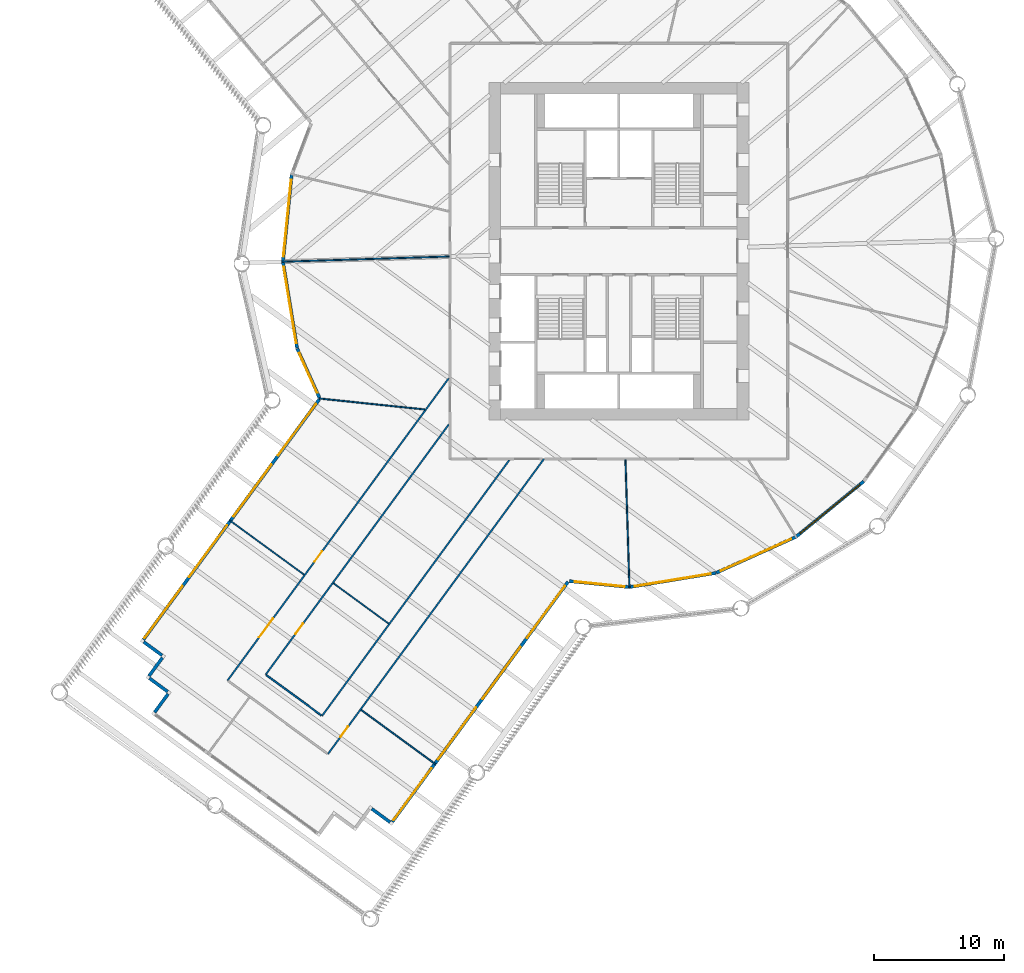
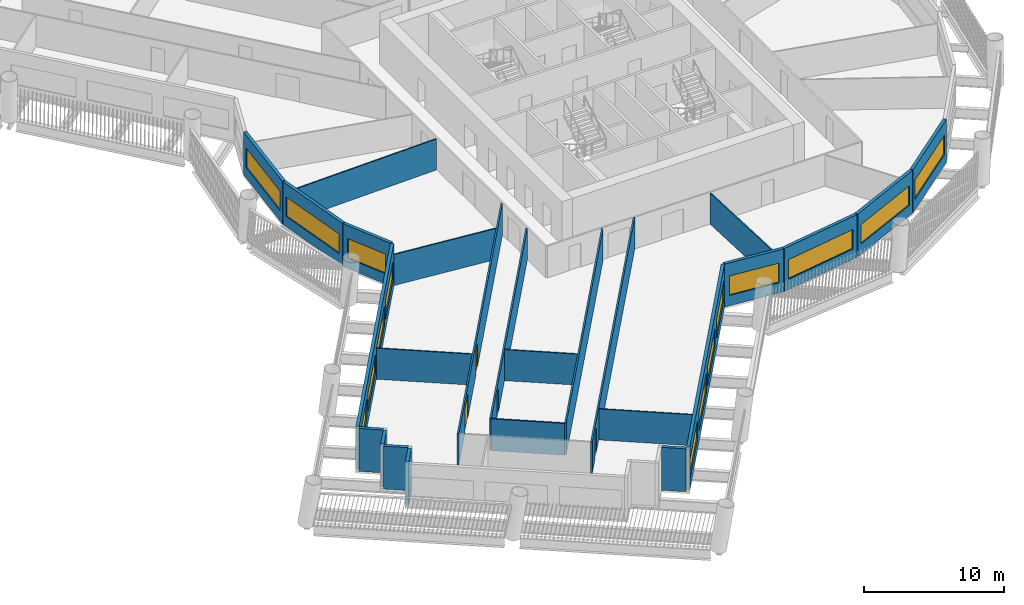
# One storey, part 3 of 15: 25 walls, 15 windows, 4 doors, 19 openings.
"""IFC4 building model written with IfcOpenShell, lengths in metres."""

from ifc_helpers import new_model, si_unit, direction, frame, frame_2d, origin, place, context, subcontext, project, spatial, rectangle, extrude, material, layer, layer_set, type_object, element, fill, save


model = new_model("IFC4")

# Units and contexts
model_context = context("Model", 3, precision=1e-05, world=origin(), true_north=direction((0.0, 1.0)))
body_context = subcontext(model_context, "Body", "Model", "MODEL_VIEW")
ifc_project = project(units=[si_unit("LENGTHUNIT", "METRE"), si_unit("AREAUNIT", "SQUARE_METRE"), si_unit("VOLUMEUNIT", "CUBIC_METRE"), si_unit("PLANEANGLEUNIT", "RADIAN"), si_unit("MASSUNIT", "GRAM", prefix="KILO")], contexts=[model_context])

# Site, building, storey
site_placement = place(None, origin())
site = spatial("IfcSite", under=ifc_project, at=site_placement, CompositionType="ELEMENT")
building_placement = place(site_placement, origin())
building = spatial("IfcBuilding", under=site, at=building_placement, Name="Tarsis Ring Headquarters", CompositionType="ELEMENT")
storey_placement = place(building_placement, frame((0.0, 0.0, 43.89990234375)))
storey = spatial("IfcBuildingStorey", under=building, at=storey_placement, Name="L08", CompositionType="ELEMENT", Elevation=43.89990234375)

# Walls
ifc_material_1 = material(Name="Gypsum board on steel studs", Category="steel")
ifc_layer_1 = layer(ifc_material_1, 0.10009765625)
ifc_layer_set_1 = layer_set([ifc_layer_1], Name="FL partition 100 unrated")
wall_type_1 = type_object("IfcWallType", Name="FL partition 100 unrated", PredefinedType="PARTITIONING", material=ifc_layer_set_1)
wall_1_placement = place(storey_placement, frame((-25.93505859375, -0.81494140625, 0.0), z_axis=(0.0, 0.0, 1.0), x_axis=(0.999506564587, 0.031410624745, 0.0)))
element("IfcWall", 1, at=wall_1_placement, inside=storey, type_object=wall_type_1, Name="Partition PW3", PredefinedType="PARTITIONING", context=body_context, shape_type="SweptSolid", body=[
    extrude(rectangle(XDim=12.871337890625, YDim=0.10009765625, at=frame_2d((6.435546875, 0.0))), origin(), (0.0, 0.0, 1.0), 2.7001953125),
])
wall_2_placement = place(storey_placement, frame((0.5048828125, -16.070068359375, 0.0), z_axis=(0.0, 0.0, 1.0), x_axis=(0.031414684955, -0.999506436982, 0.0)))
element("IfcWall", 2, at=wall_2_placement, inside=storey, type_object=wall_type_1, Name="Partition PW3", PredefinedType="PARTITIONING", context=body_context, shape_type="SweptSolid", body=[
    extrude(rectangle(XDim=9.869873046875, YDim=0.10009765625, at=frame_2d((4.93505859375, 0.0))), origin(), (0.0, 0.0, 1.0), 2.7001953125),
])
wall_3_placement = place(storey_placement, frame((-23.076416015625, -11.339111328125, 0.0), z_axis=(0.0, 0.0, 1.0), x_axis=(0.994614814404, -0.103640585524, 0.0)))
element("IfcWall", 3, at=wall_3_placement, inside=storey, type_object=wall_type_1, Name="Partition PW3", PredefinedType="PARTITIONING", context=body_context, shape_type="SweptSolid", body=[
    extrude(rectangle(XDim=8.1669921875, YDim=0.10009765625, at=frame_2d((4.08349609375, 0.0))), origin(), (0.0, 0.0, 1.0), 2.7001953125),
])
wall_4_placement = place(storey_placement, frame((-19.826416015625, -35.318115234375, 0.0), z_axis=(0.0, 0.0, 1.0), x_axis=(0.806957476098, -0.590609542566, 0.0)))
element("IfcWall", 4, at=wall_4_placement, inside=storey, type_object=wall_type_1, Name="Partition PW3", PredefinedType="PARTITIONING", context=body_context, shape_type="SweptSolid", body=[
    extrude(rectangle(XDim=7.090087890625, YDim=0.10009765625, at=frame_2d((3.544921875, 0.0))), origin(), (0.0, 0.0, 1.0), 2.7001953125),
])
wall_5_placement = place(storey_placement, frame((-29.9658203125, -20.709716796875, 0.0), z_axis=(0.0, 0.0, 1.0), x_axis=(0.806945464391, -0.590625953966, 0.0)))
element("IfcWall", 5, at=wall_5_placement, inside=storey, type_object=wall_type_1, Name="Partition PW3", PredefinedType="PARTITIONING", context=body_context, shape_type="SweptSolid", body=[
    extrude(rectangle(XDim=7.08984375, YDim=0.10009765625, at=frame_2d((3.544921875, 0.0))), origin(), (0.0, 0.0, 1.0), 2.7001953125),
])
wall_6_placement = place(storey_placement, frame((-21.95849609375, -25.56640625, 0.0), z_axis=(0.0, 0.0, 1.0), x_axis=(0.806945295726, -0.590626184406, 0.0)))
element("IfcWall", 6, at=wall_6_placement, inside=storey, type_object=wall_type_1, Name="Partition PW3", PredefinedType="PARTITIONING", context=body_context, shape_type="SweptSolid", body=[
    extrude(rectangle(XDim=5.240234375, YDim=0.10009765625, at=frame_2d((2.6201171875, 0.0))), origin(), (0.0, 0.0, 1.0), 2.7001953125),
])

# Wall, openings, doors
ifc_layer_2 = layer(ifc_material_1, 0.125)
ifc_layer_set_2 = layer_set([ifc_layer_2], Name="FL partition 125 EI 60 H2770")
wall_type_2 = type_object("IfcWallType", Name="FL partition 125 EI 60 H2770", PredefinedType="PARTITIONING", material=ifc_layer_set_2)
wall_7_placement = place(storey_placement, frame((-30.123779296875, -33.048583984375, 0.0), z_axis=(0.0, 0.0, 1.0), x_axis=(0.590606597773, 0.806959631374, 0.0)))
wall_7 = element("IfcWall", 7, at=wall_7_placement, inside=storey, type_object=wall_type_2, Name="Partition PW1", PredefinedType="PARTITIONING", context=body_context, shape_type="SweptSolid", body=[
    extrude(rectangle(XDim=28.82373046875, YDim=0.125, at=frame_2d((14.411865234375, 0.0))), origin(), (0.0, 0.0, 1.0), 2.77001953125),
])
opening_1_placement = place(wall_7_placement, frame((4.123046875, 0.0, 0.0)))
opening_1 = element("IfcOpeningElement", 8, at=opening_1_placement, cuts=wall_7, Name="Opening D08.13", PredefinedType="OPENING", context=body_context, shape_type="SweptSolid", body=[
    extrude(rectangle(XDim=1.800048828125, YDim=2.10009765625, at=frame_2d((0.89990234375, 1.050048828125))), frame((0.0, 0.072509765625, 0.0), z_axis=(0.0, -1.0, 0.0), x_axis=(1.0, 0.0, 0.0)), (0.0, 0.0, 1.0), 0.14501953125),
])
opening_2_placement = place(wall_7_placement, frame((11.33203125, 0.0, 0.0)))
opening_2 = element("IfcOpeningElement", 9, at=opening_2_placement, cuts=wall_7, Name="Opening D08.14", PredefinedType="OPENING", context=body_context, shape_type="SweptSolid", body=[
    extrude(rectangle(XDim=1.0, YDim=2.10009765625, at=frame_2d((0.5, 1.050048828125))), frame((0.0, 0.072509765625, 0.0), z_axis=(0.0, -1.0, 0.0), x_axis=(1.0, 0.0, 0.0)), (0.0, 0.0, 1.0), 0.14501953125),
])
ifc_material_2 = material(Name="Fire-rated timber door leaf in steel frame", Category="steel")
door_type_1 = type_object("IfcDoorType", Name="FL door FD60-1000", OperationType="NOTDEFINED", PredefinedType="DOOR", material=ifc_material_2)
door_1_placement = place(opening_2_placement, origin())
door_1 = element("IfcDoor", 10, at=door_1_placement, inside=storey, type_object=door_type_1, Name="Door D08.14", OperationType="SINGLE_SWING_RIGHT", OverallHeight=2.10009765625, OverallWidth=1.0, PredefinedType="DOOR", context=body_context, shape_type="SweptSolid", body=[
    extrude(rectangle(XDim=1.0, YDim=2.10009765625, at=frame_2d((0.5, 1.050048828125))), frame((0.0, 0.02490234375, 0.0), z_axis=(0.0, -1.0, 0.0), x_axis=(1.0, 0.0, 0.0)), (0.0, 0.0, 1.0), 0.050048828125),
])
fill(opening_2, door_1)
door_type_2 = type_object("IfcDoorType", Name="FL door FD60-1800", OperationType="DOUBLE_DOOR_SINGLE_SWING", PredefinedType="DOOR", material=ifc_material_2)
door_2_placement = place(opening_1_placement, origin())
door_2 = element("IfcDoor", 11, at=door_2_placement, inside=storey, type_object=door_type_2, Name="Door D08.13", OperationType="DOUBLE_DOOR_SINGLE_SWING", OverallHeight=2.10009765625, OverallWidth=1.800048828125, PredefinedType="DOOR", context=body_context, shape_type="SweptSolid", body=[
    extrude(rectangle(XDim=1.800048828125, YDim=2.10009765625, at=frame_2d((0.89990234375, 1.050048828125))), frame((0.0, 0.02490234375, 0.0), z_axis=(0.0, -1.0, 0.0), x_axis=(1.0, 0.0, 0.0)), (0.0, 0.0, 1.0), 0.050048828125),
])
fill(opening_1, door_2)

# Wall, opening, door
wall_8_placement = place(storey_placement, frame((-22.39306640625, -38.70654296875, 0.0), z_axis=(0.0, 0.0, 1.0), x_axis=(0.590605091568, 0.80696073375, 0.0)))
wall_8 = element("IfcWall", 12, at=wall_8_placement, inside=storey, type_object=wall_type_2, Name="Partition PW1", PredefinedType="PARTITIONING", context=body_context, shape_type="SweptSolid", body=[
    extrude(rectangle(XDim=28.138427734375, YDim=0.125, at=frame_2d((14.0693359375, 0.0))), origin(), (0.0, 0.0, 1.0), 2.77001953125),
])
opening_3_placement = place(wall_8_placement, frame((1.623779296875, 0.0, 0.0)))
opening_3 = element("IfcOpeningElement", 13, at=opening_3_placement, cuts=wall_8, Name="Opening D08.12", PredefinedType="OPENING", context=body_context, shape_type="SweptSolid", body=[
    extrude(rectangle(XDim=1.0, YDim=2.10009765625, at=frame_2d((0.5, 1.050048828125))), frame((0.0, 0.072509765625, 0.0), z_axis=(0.0, -1.0, 0.0), x_axis=(1.0, 0.0, 0.0)), (0.0, 0.0, 1.0), 0.14501953125),
])
door_3_placement = place(opening_3_placement, origin())
door_3 = element("IfcDoor", 14, at=door_3_placement, inside=storey, type_object=door_type_1, Name="Door D08.12", OperationType="SINGLE_SWING_RIGHT", OverallHeight=2.10009765625, OverallWidth=1.0, PredefinedType="DOOR", context=body_context, shape_type="SweptSolid", body=[
    extrude(rectangle(XDim=1.0, YDim=2.10009765625, at=frame_2d((0.5, 1.050048828125))), frame((0.0, 0.02490234375, 0.0), z_axis=(0.0, -1.0, 0.0), x_axis=(1.0, 0.0, 0.0)), (0.0, 0.0, 1.0), 0.050048828125),
])
fill(opening_3, door_3)

# Wall
wall_9_placement = place(storey_placement, frame((-22.847412109375, -35.771484375, 0.0), z_axis=(0.0, 0.0, 1.0), x_axis=(0.590612704864, 0.806955161613, 0.0)))
element("IfcWall", 15, at=wall_9_placement, inside=storey, type_object=wall_type_2, Name="Partition PW1", PredefinedType="PARTITIONING", context=body_context, shape_type="SweptSolid", body=[
    extrude(rectangle(XDim=24.39111328125, YDim=0.125, at=frame_2d((12.195556640625, 0.0))), origin(), (0.0, 0.0, 1.0), 2.77001953125),
])

# Wall, opening, door
wall_10_placement = place(storey_placement, frame((-27.188720703125, -32.593994140625, 0.0), z_axis=(0.0, 0.0, 1.0), x_axis=(0.590606889207, 0.806959418076, 0.0)))
wall_10 = element("IfcWall", 16, at=wall_10_placement, inside=storey, type_object=wall_type_2, Name="Partition PW1", PredefinedType="PARTITIONING", context=body_context, shape_type="SweptSolid", body=[
    extrude(rectangle(XDim=23.85400390625, YDim=0.125, at=frame_2d((11.927001953125, 0.0))), origin(), (0.0, 0.0, 1.0), 2.77001953125),
])
opening_4_placement = place(wall_10_placement, frame((3.877685546875, 0.0, 0.0)))
opening_4 = element("IfcOpeningElement", 17, at=opening_4_placement, cuts=wall_10, Name="Opening D08.22", PredefinedType="OPENING", context=body_context, shape_type="SweptSolid", body=[
    extrude(rectangle(XDim=1.0, YDim=2.10009765625, at=frame_2d((0.5, 1.050048828125))), frame((0.0, 0.072509765625, 0.0), z_axis=(0.0, -1.0, 0.0), x_axis=(1.0, 0.0, 0.0)), (0.0, 0.0, 1.0), 0.14501953125),
])
door_4_placement = place(opening_4_placement, origin())
door_4 = element("IfcDoor", 18, at=door_4_placement, inside=storey, type_object=door_type_1, Name="Door D08.22", OperationType="SINGLE_SWING_RIGHT", OverallHeight=2.10009765625, OverallWidth=1.0, PredefinedType="DOOR", context=body_context, shape_type="SweptSolid", body=[
    extrude(rectangle(XDim=1.0, YDim=2.10009765625, at=frame_2d((0.5, 1.050048828125))), frame((0.0, 0.02490234375, 0.0), z_axis=(0.0, -1.0, 0.0), x_axis=(1.0, 0.0, 0.0)), (0.0, 0.0, 1.0), 0.050048828125),
])
fill(opening_4, door_4)

# Wall
wall_11_placement = place(storey_placement, frame((-27.140380859375, -32.62939453125, 0.0), z_axis=(0.0, 0.0, 1.0), x_axis=(0.8069520929, -0.590616897628, 0.0)))
element("IfcWall", 19, at=wall_11_placement, inside=storey, type_object=wall_type_2, Name="Partition PW1", PredefinedType="PARTITIONING", context=body_context, shape_type="SweptSolid", body=[
    extrude(rectangle(XDim=5.260009765625, YDim=0.125, at=frame_2d((2.6298828125, 0.0))), origin(), (0.0, 0.0, 1.0), 2.77001953125),
])

# Wall, opening, window
ifc_material_3 = material(Name="Terracotta clad insulated panel wall", Category="masonry")
ifc_layer_3 = layer(ifc_material_3, 0.25)
ifc_layer_set_3 = layer_set([ifc_layer_3], Name="Facade wall terracotta panel 250")
wall_type_3 = type_object("IfcWallType", Name="Facade wall terracotta panel 250", PredefinedType="STANDARD", material=ifc_layer_set_3)
wall_12_placement = place(storey_placement, frame((-25.19189453125, 5.891845703125, 0.0), z_axis=(0.0, 0.0, 1.0), x_axis=(-0.099341885033, -0.995053360317, 0.0)))
wall_12 = element("IfcWall", 20, at=wall_12_placement, inside=storey, type_object=wall_type_3, Name="External wall L08-03", PredefinedType="STANDARD", context=body_context, shape_type="SweptSolid", body=[
    extrude(rectangle(XDim=6.721435546875, YDim=0.25, at=frame_2d((3.36083984375, 0.0))), origin(), (0.0, 0.0, 1.0), 3.739990234375),
])
opening_5_placement = place(wall_12_placement, frame((0.3857421875, 0.0, 0.89990234375)))
opening_5 = element("IfcOpeningElement", 21, at=opening_5_placement, cuts=wall_12, Name="Opening WN07", PredefinedType="OPENING", context=body_context, shape_type="SweptSolid", body=[
    extrude(rectangle(XDim=5.949951171875, YDim=1.699951171875, at=frame_2d((2.97509765625, 0.85009765625))), frame((0.0, 0.135009765625, 0.0), z_axis=(0.0, -1.0, 0.0), x_axis=(1.0, 0.0, 0.0)), (0.0, 0.0, 1.0), 0.27001953125),
])
ifc_material_4 = material(Name="Aluminium framed double glazing", Category="aluminium")
window_type_1 = type_object("IfcWindowType", Name="Facade window 5950 x 1700", PartitioningType="SINGLE_PANEL", PredefinedType="WINDOW", material=ifc_material_4)
window_1_placement = place(opening_5_placement, origin())
window_1 = element("IfcWindow", 22, at=window_1_placement, inside=storey, type_object=window_type_1, Name="Window L08-03.1", OverallHeight=1.699951171875, OverallWidth=5.949951171875, PartitioningType="SINGLE_PANEL", PredefinedType="WINDOW", context=body_context, shape_type="SweptSolid", body=[
    extrude(rectangle(XDim=5.949951171875, YDim=1.699951171875, at=frame_2d((2.97509765625, 0.85009765625))), frame((0.0, 0.030029296875, 0.0), z_axis=(0.0, -1.0, 0.0), x_axis=(1.0, 0.0, 0.0)), (0.0, 0.0, 1.0), 0.06005859375),
])
fill(opening_5, window_1)

wall_13_placement = place(storey_placement, frame((-25.8583984375, -0.828857421875, 0.0), z_axis=(0.0, 0.0, 1.0), x_axis=(0.161594690261, -0.986857211596, 0.0)))
wall_13 = element("IfcWall", 23, at=wall_13_placement, inside=storey, type_object=wall_type_3, Name="External wall L08-04", PredefinedType="STANDARD", context=body_context, shape_type="SweptSolid", body=[
    extrude(rectangle(XDim=6.7216796875, YDim=0.25, at=frame_2d((3.36083984375, 0.0))), origin(), (0.0, 0.0, 1.0), 3.739990234375),
])
opening_6_placement = place(wall_13_placement, frame((0.3857421875, 0.0, 0.89990234375)))
opening_6 = element("IfcOpeningElement", 24, at=opening_6_placement, cuts=wall_13, Name="Opening WN07", PredefinedType="OPENING", context=body_context, shape_type="SweptSolid", body=[
    extrude(rectangle(XDim=5.949951171875, YDim=1.699951171875, at=frame_2d((2.97509765625, 0.85009765625))), frame((0.0, 0.135009765625, 0.0), z_axis=(0.0, -1.0, 0.0), x_axis=(1.0, 0.0, 0.0)), (0.0, 0.0, 1.0), 0.27001953125),
])
window_2_placement = place(opening_6_placement, origin())
window_2 = element("IfcWindow", 25, at=window_2_placement, inside=storey, type_object=window_type_1, Name="Window L08-04.1", OverallHeight=1.699951171875, OverallWidth=5.949951171875, PartitioningType="SINGLE_PANEL", PredefinedType="WINDOW", context=body_context, shape_type="SweptSolid", body=[
    extrude(rectangle(XDim=5.949951171875, YDim=1.699951171875, at=frame_2d((2.97509765625, 0.85009765625))), frame((0.0, 0.030029296875, 0.0), z_axis=(0.0, -1.0, 0.0), x_axis=(1.0, 0.0, 0.0)), (0.0, 0.0, 1.0), 0.06005859375),
])
fill(opening_6, window_2)

wall_14_placement = place(storey_placement, frame((-24.762939453125, -7.493408203125, 0.0), z_axis=(0.0, 0.0, 1.0), x_axis=(0.411536372613, -0.91139333661, 0.0)))
wall_14 = element("IfcWall", 26, at=wall_14_placement, inside=storey, type_object=wall_type_3, Name="External wall L08-05", PredefinedType="STANDARD", context=body_context, shape_type="SweptSolid", body=[
    extrude(rectangle(XDim=4.157470703125, YDim=0.25, at=frame_2d((2.07861328125, 0.0))), origin(), (0.0, 0.0, 1.0), 3.739990234375),
])
opening_7_placement = place(wall_14_placement, frame((0.38720703125, 0.0, 0.89990234375)))
opening_7 = element("IfcOpeningElement", 27, at=opening_7_placement, cuts=wall_14, Name="Opening WN01", PredefinedType="OPENING", context=body_context, shape_type="SweptSolid", body=[
    extrude(rectangle(XDim=3.35009765625, YDim=1.699951171875, at=frame_2d((1.675048828125, 0.85009765625))), frame((0.0, 0.135009765625, 0.0), z_axis=(0.0, -1.0, 0.0), x_axis=(1.0, 0.0, 0.0)), (0.0, 0.0, 1.0), 0.27001953125),
])
window_type_2 = type_object("IfcWindowType", Name="Facade window 3350 x 1700", PartitioningType="SINGLE_PANEL", PredefinedType="WINDOW", material=ifc_material_4)
window_3_placement = place(opening_7_placement, origin())
window_3 = element("IfcWindow", 28, at=window_3_placement, inside=storey, type_object=window_type_2, Name="Window L08-05.1", OverallHeight=1.699951171875, OverallWidth=3.35009765625, PartitioningType="SINGLE_PANEL", PredefinedType="WINDOW", context=body_context, shape_type="SweptSolid", body=[
    extrude(rectangle(XDim=3.35009765625, YDim=1.699951171875, at=frame_2d((1.675048828125, 0.85009765625))), frame((0.0, 0.030029296875, 0.0), z_axis=(0.0, -1.0, 0.0), x_axis=(1.0, 0.0, 0.0)), (0.0, 0.0, 1.0), 0.06005859375),
])
fill(opening_7, window_3)

# Wall, openings, windows
wall_15_placement = place(storey_placement, frame((-23.06494140625, -11.407958984375, 0.0), z_axis=(0.0, 0.0, 1.0), x_axis=(-0.590606599884, -0.806959629829, 0.0)))
wall_15 = element("IfcWall", 29, at=wall_15_placement, inside=storey, type_object=wall_type_3, Name="External wall L08-06", PredefinedType="STANDARD", context=body_context, shape_type="SweptSolid", body=[
    extrude(rectangle(XDim=22.921875, YDim=0.25, at=frame_2d((11.4609375, 0.0))), origin(), (0.0, 0.0, 1.0), 3.739990234375),
])
opening_8_placement = place(wall_15_placement, frame((0.42138671875, 0.0, 0.89990234375)))
opening_8 = element("IfcOpeningElement", 30, at=opening_8_placement, cuts=wall_15, Name="Opening WN05", PredefinedType="OPENING", context=body_context, shape_type="SweptSolid", body=[
    extrude(rectangle(XDim=4.949951171875, YDim=1.699951171875, at=frame_2d((2.47509765625, 0.85009765625))), frame((0.0, 0.135009765625, 0.0), z_axis=(0.0, -1.0, 0.0), x_axis=(1.0, 0.0, 0.0)), (0.0, 0.0, 1.0), 0.27001953125),
])
opening_9_placement = place(wall_15_placement, frame((6.214599609375, 0.0, 0.89990234375)))
opening_9 = element("IfcOpeningElement", 31, at=opening_9_placement, cuts=wall_15, Name="Opening WN05", PredefinedType="OPENING", context=body_context, shape_type="SweptSolid", body=[
    extrude(rectangle(XDim=4.949951171875, YDim=1.699951171875, at=frame_2d((2.47509765625, 0.85009765625))), frame((0.0, 0.135009765625, 0.0), z_axis=(0.0, -1.0, 0.0), x_axis=(1.0, 0.0, 0.0)), (0.0, 0.0, 1.0), 0.27001953125),
])
opening_10_placement = place(wall_15_placement, frame((12.007568359375, 0.0, 0.89990234375)))
opening_10 = element("IfcOpeningElement", 32, at=opening_10_placement, cuts=wall_15, Name="Opening WN05", PredefinedType="OPENING", context=body_context, shape_type="SweptSolid", body=[
    extrude(rectangle(XDim=4.949951171875, YDim=1.699951171875, at=frame_2d((2.47509765625, 0.85009765625))), frame((0.0, 0.135009765625, 0.0), z_axis=(0.0, -1.0, 0.0), x_axis=(1.0, 0.0, 0.0)), (0.0, 0.0, 1.0), 0.27001953125),
])
opening_11_placement = place(wall_15_placement, frame((17.800537109375, 0.0, 0.89990234375)))
opening_11 = element("IfcOpeningElement", 33, at=opening_11_placement, cuts=wall_15, Name="Opening WN05", PredefinedType="OPENING", context=body_context, shape_type="SweptSolid", body=[
    extrude(rectangle(XDim=4.949951171875, YDim=1.699951171875, at=frame_2d((2.47509765625, 0.85009765625))), frame((0.0, 0.135009765625, 0.0), z_axis=(0.0, -1.0, 0.0), x_axis=(1.0, 0.0, 0.0)), (0.0, 0.0, 1.0), 0.27001953125),
])
window_type_3 = type_object("IfcWindowType", Name="Facade window 4950 x 1700", PartitioningType="SINGLE_PANEL", PredefinedType="WINDOW", material=ifc_material_4)
window_4_placement = place(opening_8_placement, origin())
window_4 = element("IfcWindow", 34, at=window_4_placement, inside=storey, type_object=window_type_3, Name="Window L08-06.1", OverallHeight=1.699951171875, OverallWidth=4.949951171875, PartitioningType="SINGLE_PANEL", PredefinedType="WINDOW", context=body_context, shape_type="SweptSolid", body=[
    extrude(rectangle(XDim=4.949951171875, YDim=1.699951171875, at=frame_2d((2.47509765625, 0.85009765625))), frame((0.0, 0.030029296875, 0.0), z_axis=(0.0, -1.0, 0.0), x_axis=(1.0, 0.0, 0.0)), (0.0, 0.0, 1.0), 0.06005859375),
])
fill(opening_8, window_4)
window_5_placement = place(opening_9_placement, origin())
window_5 = element("IfcWindow", 35, at=window_5_placement, inside=storey, type_object=window_type_3, Name="Window L08-06.2", OverallHeight=1.699951171875, OverallWidth=4.949951171875, PartitioningType="SINGLE_PANEL", PredefinedType="WINDOW", context=body_context, shape_type="SweptSolid", body=[
    extrude(rectangle(XDim=4.949951171875, YDim=1.699951171875, at=frame_2d((2.47509765625, 0.85009765625))), frame((0.0, 0.030029296875, 0.0), z_axis=(0.0, -1.0, 0.0), x_axis=(1.0, 0.0, 0.0)), (0.0, 0.0, 1.0), 0.06005859375),
])
fill(opening_9, window_5)
window_6_placement = place(opening_10_placement, origin())
window_6 = element("IfcWindow", 36, at=window_6_placement, inside=storey, type_object=window_type_3, Name="Window L08-06.3", OverallHeight=1.699951171875, OverallWidth=4.949951171875, PartitioningType="SINGLE_PANEL", PredefinedType="WINDOW", context=body_context, shape_type="SweptSolid", body=[
    extrude(rectangle(XDim=4.949951171875, YDim=1.699951171875, at=frame_2d((2.47509765625, 0.85009765625))), frame((0.0, 0.030029296875, 0.0), z_axis=(0.0, -1.0, 0.0), x_axis=(1.0, 0.0, 0.0)), (0.0, 0.0, 1.0), 0.06005859375),
])
fill(opening_10, window_6)
window_7_placement = place(opening_11_placement, origin())
window_7 = element("IfcWindow", 37, at=window_7_placement, inside=storey, type_object=window_type_3, Name="Window L08-06.4", OverallHeight=1.699951171875, OverallWidth=4.949951171875, PartitioningType="SINGLE_PANEL", PredefinedType="WINDOW", context=body_context, shape_type="SweptSolid", body=[
    extrude(rectangle(XDim=4.949951171875, YDim=1.699951171875, at=frame_2d((2.47509765625, 0.85009765625))), frame((0.0, 0.030029296875, 0.0), z_axis=(0.0, -1.0, 0.0), x_axis=(1.0, 0.0, 0.0)), (0.0, 0.0, 1.0), 0.06005859375),
])
fill(opening_11, window_7)

# Walls
for number, where, z_axis, x_axis, name in (
    (38, (-36.575927734375, -30.07958984375, 0.0), (0.0, 0.0, 1.0), (0.806958979618, -0.590607488281, 0.0), "External wall L08-07"),
    (39, (-35.136474609375, -31.287841796875, 0.0), (0.0, 0.0, 1.0), (-0.590607488281, -0.806958979618, 0.0), "External wall L08-08"),
):
    element("IfcWall", number, at=place(storey_placement, frame(where, z_axis=z_axis, x_axis=x_axis)), inside=storey, type_object=wall_type_3, Name=name, PredefinedType="STANDARD", context=body_context, shape_type="SweptSolid", body=[
        extrude(rectangle(XDim=1.750244140625, YDim=0.25, at=frame_2d((0.875, 0.0))), origin(), (0.0, 0.0, 1.0), 3.739990234375),
    ])
wall_16_placement = place(storey_placement, frame((-36.14306640625, -32.874755859375, 0.0), z_axis=(0.0, 0.0, 1.0), x_axis=(0.806910314327, -0.590673974907, 0.0)))
element("IfcWall", 40, at=wall_16_placement, inside=storey, type_object=wall_type_3, Name="External wall L08-09", PredefinedType="STANDARD", context=body_context, shape_type="SweptSolid", body=[
    extrude(rectangle(XDim=1.75, YDim=0.25, at=frame_2d((0.875, 0.0))), origin(), (0.0, 0.0, 1.0), 3.739990234375),
])
wall_17_placement = place(storey_placement, frame((-34.703857421875, -34.0830078125, 0.0), z_axis=(0.0, 0.0, 1.0), x_axis=(-0.590607488281, -0.806958979618, 0.0)))
element("IfcWall", 41, at=wall_17_placement, inside=storey, type_object=wall_type_3, Name="External wall L08-10", PredefinedType="STANDARD", context=body_context, shape_type="SweptSolid", body=[
    extrude(rectangle(XDim=1.750244140625, YDim=0.25, at=frame_2d((0.875, 0.0))), origin(), (0.0, 0.0, 1.0), 3.739990234375),
])
wall_18_placement = place(storey_placement, frame((-19.0244140625, -42.92529296875, 0.0), z_axis=(0.0, 0.0, 1.0), x_axis=(0.806910314327, -0.590673974907, 0.0)))
element("IfcWall", 42, at=wall_18_placement, inside=storey, type_object=wall_type_3, Name="External wall L08-15", PredefinedType="STANDARD", context=body_context, shape_type="SweptSolid", body=[
    extrude(rectangle(XDim=1.75, YDim=0.25, at=frame_2d((0.875, 0.0))), origin(), (0.0, 0.0, 1.0), 3.739990234375),
])

# Wall, openings, windows
wall_19_placement = place(storey_placement, frame((-17.4375, -43.931884765625, 0.0), z_axis=(0.0, 0.0, 1.0), x_axis=(0.59060499349, 0.806960805532, 0.0)))
wall_19 = element("IfcWall", 43, at=wall_19_placement, inside=storey, type_object=wall_type_3, Name="External wall L08-16", PredefinedType="STANDARD", context=body_context, shape_type="SweptSolid", body=[
    extrude(rectangle(XDim=22.9013671875, YDim=0.25, at=frame_2d((11.45068359375, 0.0))), origin(), (0.0, 0.0, 1.0), 3.739990234375),
])
opening_12_placement = place(wall_19_placement, frame((0.1689453125, 0.0, 0.89990234375)))
opening_12 = element("IfcOpeningElement", 44, at=opening_12_placement, cuts=wall_19, Name="Opening WN05", PredefinedType="OPENING", context=body_context, shape_type="SweptSolid", body=[
    extrude(rectangle(XDim=4.949951171875, YDim=1.699951171875, at=frame_2d((2.47509765625, 0.85009765625))), frame((0.0, 0.135009765625, 0.0), z_axis=(0.0, -1.0, 0.0), x_axis=(1.0, 0.0, 0.0)), (0.0, 0.0, 1.0), 0.27001953125),
])
opening_13_placement = place(wall_19_placement, frame((5.956787109375, 0.0, 0.89990234375)))
opening_13 = element("IfcOpeningElement", 45, at=opening_13_placement, cuts=wall_19, Name="Opening WN05", PredefinedType="OPENING", context=body_context, shape_type="SweptSolid", body=[
    extrude(rectangle(XDim=4.949951171875, YDim=1.699951171875, at=frame_2d((2.47509765625, 0.85009765625))), frame((0.0, 0.135009765625, 0.0), z_axis=(0.0, -1.0, 0.0), x_axis=(1.0, 0.0, 0.0)), (0.0, 0.0, 1.0), 0.27001953125),
])
opening_14_placement = place(wall_19_placement, frame((11.74462890625, 0.0, 0.89990234375)))
opening_14 = element("IfcOpeningElement", 46, at=opening_14_placement, cuts=wall_19, Name="Opening WN05", PredefinedType="OPENING", context=body_context, shape_type="SweptSolid", body=[
    extrude(rectangle(XDim=4.949951171875, YDim=1.699951171875, at=frame_2d((2.47509765625, 0.85009765625))), frame((0.0, 0.135009765625, 0.0), z_axis=(0.0, -1.0, 0.0), x_axis=(1.0, 0.0, 0.0)), (0.0, 0.0, 1.0), 0.27001953125),
])
opening_15_placement = place(wall_19_placement, frame((17.532470703125, 0.0, 0.89990234375)))
opening_15 = element("IfcOpeningElement", 47, at=opening_15_placement, cuts=wall_19, Name="Opening WN05", PredefinedType="OPENING", context=body_context, shape_type="SweptSolid", body=[
    extrude(rectangle(XDim=4.949951171875, YDim=1.699951171875, at=frame_2d((2.47509765625, 0.85009765625))), frame((0.0, 0.135009765625, 0.0), z_axis=(0.0, -1.0, 0.0), x_axis=(1.0, 0.0, 0.0)), (0.0, 0.0, 1.0), 0.27001953125),
])
window_8_placement = place(opening_12_placement, origin())
window_8 = element("IfcWindow", 48, at=window_8_placement, inside=storey, type_object=window_type_3, Name="Window L08-16.1", OverallHeight=1.699951171875, OverallWidth=4.949951171875, PartitioningType="SINGLE_PANEL", PredefinedType="WINDOW", context=body_context, shape_type="SweptSolid", body=[
    extrude(rectangle(XDim=4.949951171875, YDim=1.699951171875, at=frame_2d((2.47509765625, 0.85009765625))), frame((0.0, 0.030029296875, 0.0), z_axis=(0.0, -1.0, 0.0), x_axis=(1.0, 0.0, 0.0)), (0.0, 0.0, 1.0), 0.06005859375),
])
fill(opening_12, window_8)
window_9_placement = place(opening_13_placement, origin())
window_9 = element("IfcWindow", 49, at=window_9_placement, inside=storey, type_object=window_type_3, Name="Window L08-16.2", OverallHeight=1.699951171875, OverallWidth=4.949951171875, PartitioningType="SINGLE_PANEL", PredefinedType="WINDOW", context=body_context, shape_type="SweptSolid", body=[
    extrude(rectangle(XDim=4.949951171875, YDim=1.699951171875, at=frame_2d((2.47509765625, 0.85009765625))), frame((0.0, 0.030029296875, 0.0), z_axis=(0.0, -1.0, 0.0), x_axis=(1.0, 0.0, 0.0)), (0.0, 0.0, 1.0), 0.06005859375),
])
fill(opening_13, window_9)
window_10_placement = place(opening_14_placement, origin())
window_10 = element("IfcWindow", 50, at=window_10_placement, inside=storey, type_object=window_type_3, Name="Window L08-16.3", OverallHeight=1.699951171875, OverallWidth=4.949951171875, PartitioningType="SINGLE_PANEL", PredefinedType="WINDOW", context=body_context, shape_type="SweptSolid", body=[
    extrude(rectangle(XDim=4.949951171875, YDim=1.699951171875, at=frame_2d((2.47509765625, 0.85009765625))), frame((0.0, 0.030029296875, 0.0), z_axis=(0.0, -1.0, 0.0), x_axis=(1.0, 0.0, 0.0)), (0.0, 0.0, 1.0), 0.06005859375),
])
fill(opening_14, window_10)
window_11_placement = place(opening_15_placement, origin())
window_11 = element("IfcWindow", 51, at=window_11_placement, inside=storey, type_object=window_type_3, Name="Window L08-16.4", OverallHeight=1.699951171875, OverallWidth=4.949951171875, PartitioningType="SINGLE_PANEL", PredefinedType="WINDOW", context=body_context, shape_type="SweptSolid", body=[
    extrude(rectangle(XDim=4.949951171875, YDim=1.699951171875, at=frame_2d((2.47509765625, 0.85009765625))), frame((0.0, 0.030029296875, 0.0), z_axis=(0.0, -1.0, 0.0), x_axis=(1.0, 0.0, 0.0)), (0.0, 0.0, 1.0), 0.06005859375),
])
fill(opening_15, window_11)

# Wall, opening, window
wall_20_placement = place(storey_placement, frame((-3.798583984375, -25.40087890625, 0.0), z_axis=(0.0, 0.0, 1.0), x_axis=(0.995053404194, -0.099341445539, 0.0)))
wall_20 = element("IfcWall", 52, at=wall_20_placement, inside=storey, type_object=wall_type_3, Name="External wall L08-17", PredefinedType="STANDARD", context=body_context, shape_type="SweptSolid", body=[
    extrude(rectangle(XDim=4.617919921875, YDim=0.25, at=frame_2d((2.30908203125, 0.0))), origin(), (0.0, 0.0, 1.0), 3.739990234375),
])
opening_16_placement = place(wall_20_placement, frame((0.400390625, 0.0, 0.89990234375)))
opening_16 = element("IfcOpeningElement", 53, at=opening_16_placement, cuts=wall_20, Name="Opening WN02", PredefinedType="OPENING", context=body_context, shape_type="SweptSolid", body=[
    extrude(rectangle(XDim=3.85009765625, YDim=1.699951171875, at=frame_2d((1.925048828125, 0.85009765625))), frame((0.0, 0.135009765625, 0.0), z_axis=(0.0, -1.0, 0.0), x_axis=(1.0, 0.0, 0.0)), (0.0, 0.0, 1.0), 0.27001953125),
])
window_type_4 = type_object("IfcWindowType", Name="Facade window 3850 x 1700", PartitioningType="SINGLE_PANEL", PredefinedType="WINDOW", material=ifc_material_4)
window_12_placement = place(opening_16_placement, origin())
window_12 = element("IfcWindow", 54, at=window_12_placement, inside=storey, type_object=window_type_4, Name="Window L08-17.1", OverallHeight=1.699951171875, OverallWidth=3.85009765625, PartitioningType="SINGLE_PANEL", PredefinedType="WINDOW", context=body_context, shape_type="SweptSolid", body=[
    extrude(rectangle(XDim=3.85009765625, YDim=1.699951171875, at=frame_2d((1.925048828125, 0.85009765625))), frame((0.0, 0.030029296875, 0.0), z_axis=(0.0, -1.0, 0.0), x_axis=(1.0, 0.0, 0.0)), (0.0, 0.0, 1.0), 0.06005859375),
])
fill(opening_16, window_12)

wall_21_placement = place(storey_placement, frame((0.828857421875, -25.8583984375, 0.0), z_axis=(0.0, 0.0, 1.0), x_axis=(0.986857211596, 0.161594690261, 0.0)))
wall_21 = element("IfcWall", 55, at=wall_21_placement, inside=storey, type_object=wall_type_3, Name="External wall L08-18", PredefinedType="STANDARD", context=body_context, shape_type="SweptSolid", body=[
    extrude(rectangle(XDim=6.7216796875, YDim=0.25, at=frame_2d((3.36083984375, 0.0))), origin(), (0.0, 0.0, 1.0), 3.739990234375),
])
opening_17_placement = place(wall_21_placement, frame((0.3857421875, 0.0, 0.89990234375)))
opening_17 = element("IfcOpeningElement", 56, at=opening_17_placement, cuts=wall_21, Name="Opening WN07", PredefinedType="OPENING", context=body_context, shape_type="SweptSolid", body=[
    extrude(rectangle(XDim=5.949951171875, YDim=1.699951171875, at=frame_2d((2.97509765625, 0.85009765625))), frame((0.0, 0.135009765625, 0.0), z_axis=(0.0, -1.0, 0.0), x_axis=(1.0, 0.0, 0.0)), (0.0, 0.0, 1.0), 0.27001953125),
])
window_13_placement = place(opening_17_placement, origin())
window_13 = element("IfcWindow", 57, at=window_13_placement, inside=storey, type_object=window_type_1, Name="Window L08-18.1", OverallHeight=1.699951171875, OverallWidth=5.949951171875, PartitioningType="SINGLE_PANEL", PredefinedType="WINDOW", context=body_context, shape_type="SweptSolid", body=[
    extrude(rectangle(XDim=5.949951171875, YDim=1.699951171875, at=frame_2d((2.97509765625, 0.85009765625))), frame((0.0, 0.030029296875, 0.0), z_axis=(0.0, -1.0, 0.0), x_axis=(1.0, 0.0, 0.0)), (0.0, 0.0, 1.0), 0.06005859375),
])
fill(opening_17, window_13)

wall_22_placement = place(storey_placement, frame((7.493408203125, -24.762939453125, 0.0), z_axis=(0.0, 0.0, 1.0), x_axis=(0.911396089361, 0.411530276282, 0.0)))
wall_22 = element("IfcWall", 58, at=wall_22_placement, inside=storey, type_object=wall_type_3, Name="External wall L08-19", PredefinedType="STANDARD", context=body_context, shape_type="SweptSolid", body=[
    extrude(rectangle(XDim=6.721435546875, YDim=0.25, at=frame_2d((3.36083984375, 0.0))), origin(), (0.0, 0.0, 1.0), 3.739990234375),
])
opening_18_placement = place(wall_22_placement, frame((0.3857421875, 0.0, 0.89990234375)))
opening_18 = element("IfcOpeningElement", 59, at=opening_18_placement, cuts=wall_22, Name="Opening WN07", PredefinedType="OPENING", context=body_context, shape_type="SweptSolid", body=[
    extrude(rectangle(XDim=5.949951171875, YDim=1.699951171875, at=frame_2d((2.97509765625, 0.85009765625))), frame((0.0, 0.135009765625, 0.0), z_axis=(0.0, -1.0, 0.0), x_axis=(1.0, 0.0, 0.0)), (0.0, 0.0, 1.0), 0.27001953125),
])
window_14_placement = place(opening_18_placement, origin())
window_14 = element("IfcWindow", 60, at=window_14_placement, inside=storey, type_object=window_type_1, Name="Window L08-19.1", OverallHeight=1.699951171875, OverallWidth=5.949951171875, PartitioningType="SINGLE_PANEL", PredefinedType="WINDOW", context=body_context, shape_type="SweptSolid", body=[
    extrude(rectangle(XDim=5.949951171875, YDim=1.699951171875, at=frame_2d((2.97509765625, 0.85009765625))), frame((0.0, 0.030029296875, 0.0), z_axis=(0.0, -1.0, 0.0), x_axis=(1.0, 0.0, 0.0)), (0.0, 0.0, 1.0), 0.06005859375),
])
fill(opening_18, window_14)

wall_23_placement = place(storey_placement, frame((13.647216796875, -21.979736328125, 0.0), z_axis=(0.0, 0.0, 1.0), x_axis=(0.773839149491, 0.63338216798, 0.0)))
wall_23 = element("IfcWall", 61, at=wall_23_placement, inside=storey, type_object=wall_type_3, Name="External wall L08-20", PredefinedType="STANDARD", context=body_context, shape_type="SweptSolid", body=[
    extrude(rectangle(XDim=6.7216796875, YDim=0.25, at=frame_2d((3.36083984375, 0.0))), origin(), (0.0, 0.0, 1.0), 3.739990234375),
])
opening_19_placement = place(wall_23_placement, frame((0.3857421875, 0.0, 0.89990234375)))
opening_19 = element("IfcOpeningElement", 62, at=opening_19_placement, cuts=wall_23, Name="Opening WN07", PredefinedType="OPENING", context=body_context, shape_type="SweptSolid", body=[
    extrude(rectangle(XDim=5.949951171875, YDim=1.699951171875, at=frame_2d((2.97509765625, 0.85009765625))), frame((0.0, 0.135009765625, 0.0), z_axis=(0.0, -1.0, 0.0), x_axis=(1.0, 0.0, 0.0)), (0.0, 0.0, 1.0), 0.27001953125),
])
window_15_placement = place(opening_19_placement, origin())
window_15 = element("IfcWindow", 63, at=window_15_placement, inside=storey, type_object=window_type_1, Name="Window L08-20.1", OverallHeight=1.699951171875, OverallWidth=5.949951171875, PartitioningType="SINGLE_PANEL", PredefinedType="WINDOW", context=body_context, shape_type="SweptSolid", body=[
    extrude(rectangle(XDim=5.949951171875, YDim=1.699951171875, at=frame_2d((2.97509765625, 0.85009765625))), frame((0.0, 0.030029296875, 0.0), z_axis=(0.0, -1.0, 0.0), x_axis=(1.0, 0.0, 0.0)), (0.0, 0.0, 1.0), 0.06005859375),
])
fill(opening_19, window_15)

save(model, "model.ifc")
